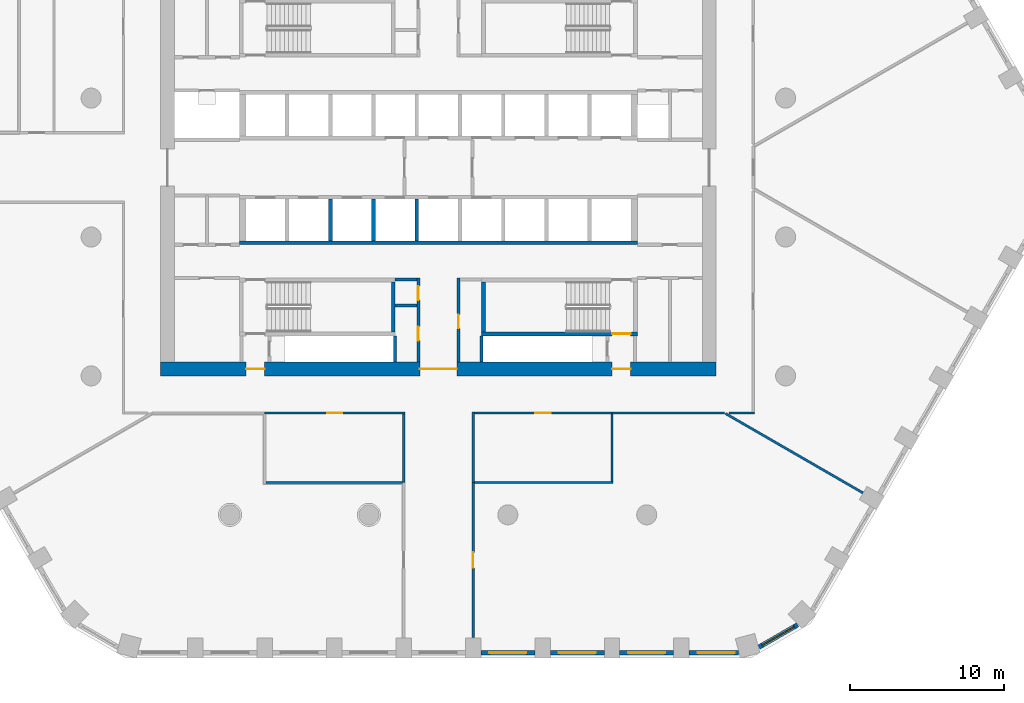
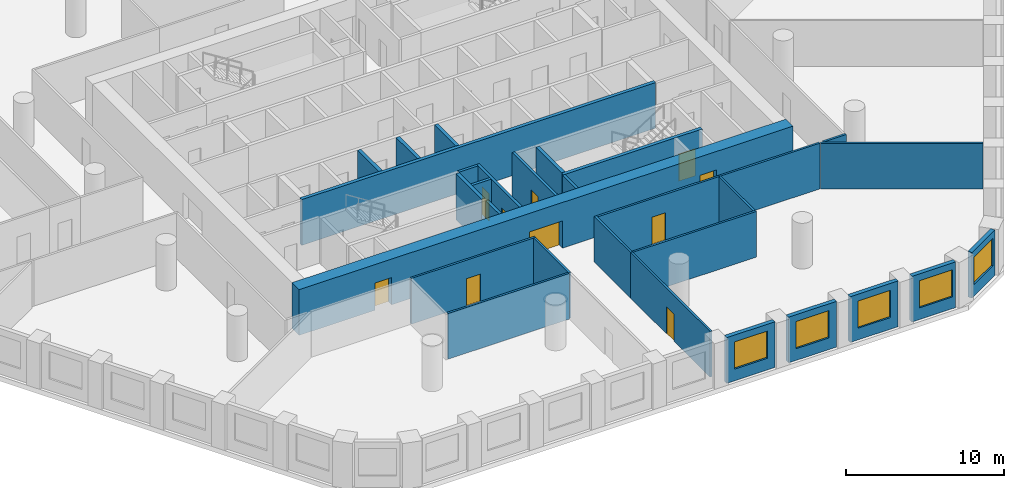
# One storey, part 3 of 14: 30 walls, 10 doors, 5 windows, 15 openings.
"""IFC4 building model written with IfcOpenShell, lengths in metres."""

from ifc_helpers import new_model, si_unit, direction, frame, frame_2d, origin, place, context, subcontext, project, spatial, polyline, rectangle, outline, extrude, material, layer, layer_set, type_object, element, fill, save


model = new_model("IFC4")

# Units and contexts
model_context = context("Model", 3, precision=1e-05, world=origin(), true_north=direction((0.0, 1.0)))
body_context = subcontext(model_context, "Body", "Model", "MODEL_VIEW")
ifc_project = project(units=[si_unit("LENGTHUNIT", "METRE"), si_unit("AREAUNIT", "SQUARE_METRE"), si_unit("VOLUMEUNIT", "CUBIC_METRE"), si_unit("PLANEANGLEUNIT", "RADIAN"), si_unit("MASSUNIT", "GRAM", prefix="KILO")], contexts=[model_context])

# Site, building, storey
site_placement = place(None, origin())
site = spatial("IfcSite", under=ifc_project, at=site_placement, CompositionType="ELEMENT")
building_placement = place(site_placement, origin())
building = spatial("IfcBuilding", under=site, at=building_placement, Name="Dhurran Vertical Campus", CompositionType="ELEMENT")
storey_placement = place(building_placement, frame((0.0, 0.0, 100.800048828125)))
storey = spatial("IfcBuildingStorey", under=building, at=storey_placement, Name="L24", CompositionType="ELEMENT", Elevation=100.800048828125)

# Wall, opening, window
ifc_material_1 = material(Name="Precast concrete C50/60", Category="concrete")
ifc_layer_1 = layer(ifc_material_1, 0.300048828125)
ifc_layer_set_1 = layer_set([ifc_layer_1], Name="Precast concrete C50/60")
wall_type_1 = type_object("IfcWallType", Name="Precast spandrel wall 300", PredefinedType="SOLIDWALL", material=ifc_layer_set_1)
wall_1_placement = place(storey_placement, frame((2.75048828125, -31.4296875, 0.0), z_axis=(0.0, 0.0, 1.0), x_axis=(1.0, 0.0, 0.0)))
wall_1 = element("IfcWall", 1, at=wall_1_placement, inside=storey, type_object=wall_type_1, Name="EW1 L24.05", PredefinedType="SOLIDWALL", context=body_context, shape_type="SweptSolid", body=[
    extrude(rectangle(XDim=3.4990234375, YDim=0.300048828125, at=frame_2d((1.74951171875, 0.0))), origin(), (0.0, 0.0, 1.0), 3.52490234375),
])
opening_1_placement = place(wall_1_placement, frame((0.549560546875, 0.0, 0.89990234375)))
opening_1 = element("IfcOpeningElement", 2, at=opening_1_placement, cuts=wall_1, Name="Opening WT1", PredefinedType="OPENING", context=body_context, shape_type="SweptSolid", body=[
    extrude(rectangle(XDim=2.39990234375, YDim=2.10009765625, at=frame_2d((1.199951171875, 1.050048828125))), frame((0.0, 0.159912109375, 0.0), z_axis=(0.0, -1.0, 0.0), x_axis=(1.0, 0.0, 0.0)), (0.0, 0.0, 1.0), 0.320068359375),
])
ifc_material_2 = material(Name="Aluminium frame with solar-control glass", Category="aluminium")
window_type = type_object("IfcWindowType", Name="Punched window 2400 x 2100", PartitioningType="SINGLE_PANEL", PredefinedType="WINDOW", material=ifc_material_2)
window_1_placement = place(opening_1_placement, origin())
window_1 = element("IfcWindow", 3, at=window_1_placement, inside=storey, type_object=window_type, Name="WT1 L24.05", OverallHeight=2.10009765625, OverallWidth=2.39990234375, PartitioningType="SINGLE_PANEL", PredefinedType="WINDOW", context=body_context, shape_type="SweptSolid", body=[
    extrude(rectangle(XDim=2.39990234375, YDim=2.10009765625, at=frame_2d((1.199951171875, 1.050048828125))), frame((0.0, 0.030029296875, 0.0), z_axis=(0.0, -1.0, 0.0), x_axis=(1.0, 0.0, 0.0)), (0.0, 0.0, 1.0), 0.06005859375),
])
fill(opening_1, window_1)

wall_2_placement = place(storey_placement, frame((7.25048828125, -31.4296875, 0.0), z_axis=(0.0, 0.0, 1.0), x_axis=(1.0, 0.0, 0.0)))
wall_2 = element("IfcWall", 4, at=wall_2_placement, inside=storey, type_object=wall_type_1, Name="EW1 L24.06", PredefinedType="SOLIDWALL", context=body_context, shape_type="SweptSolid", body=[
    extrude(rectangle(XDim=3.4990234375, YDim=0.300048828125, at=frame_2d((1.74951171875, 0.0))), origin(), (0.0, 0.0, 1.0), 3.52490234375),
])
opening_2_placement = place(wall_2_placement, frame((0.549560546875, 0.0, 0.89990234375)))
opening_2 = element("IfcOpeningElement", 5, at=opening_2_placement, cuts=wall_2, Name="Opening WT1", PredefinedType="OPENING", context=body_context, shape_type="SweptSolid", body=[
    extrude(rectangle(XDim=2.39990234375, YDim=2.10009765625, at=frame_2d((1.199951171875, 1.050048828125))), frame((0.0, 0.159912109375, 0.0), z_axis=(0.0, -1.0, 0.0), x_axis=(1.0, 0.0, 0.0)), (0.0, 0.0, 1.0), 0.320068359375),
])
window_2_placement = place(opening_2_placement, origin())
window_2 = element("IfcWindow", 6, at=window_2_placement, inside=storey, type_object=window_type, Name="WT1 L24.06", OverallHeight=2.10009765625, OverallWidth=2.39990234375, PartitioningType="SINGLE_PANEL", PredefinedType="WINDOW", context=body_context, shape_type="SweptSolid", body=[
    extrude(rectangle(XDim=2.39990234375, YDim=2.10009765625, at=frame_2d((1.199951171875, 1.050048828125))), frame((0.0, 0.030029296875, 0.0), z_axis=(0.0, -1.0, 0.0), x_axis=(1.0, 0.0, 0.0)), (0.0, 0.0, 1.0), 0.06005859375),
])
fill(opening_2, window_2)

wall_3_placement = place(storey_placement, frame((11.75048828125, -31.4296875, 0.0), z_axis=(0.0, 0.0, 1.0), x_axis=(1.0, 0.0, 0.0)))
wall_3 = element("IfcWall", 7, at=wall_3_placement, inside=storey, type_object=wall_type_1, Name="EW1 L24.07", PredefinedType="SOLIDWALL", context=body_context, shape_type="SweptSolid", body=[
    extrude(rectangle(XDim=3.4990234375, YDim=0.300048828125, at=frame_2d((1.74951171875, 0.0))), origin(), (0.0, 0.0, 1.0), 3.52490234375),
])
opening_3_placement = place(wall_3_placement, frame((0.549560546875, 0.0, 0.89990234375)))
opening_3 = element("IfcOpeningElement", 8, at=opening_3_placement, cuts=wall_3, Name="Opening WT1", PredefinedType="OPENING", context=body_context, shape_type="SweptSolid", body=[
    extrude(rectangle(XDim=2.39990234375, YDim=2.10009765625, at=frame_2d((1.199951171875, 1.050048828125))), frame((0.0, 0.159912109375, 0.0), z_axis=(0.0, -1.0, 0.0), x_axis=(1.0, 0.0, 0.0)), (0.0, 0.0, 1.0), 0.320068359375),
])
window_3_placement = place(opening_3_placement, origin())
window_3 = element("IfcWindow", 9, at=window_3_placement, inside=storey, type_object=window_type, Name="WT1 L24.07", OverallHeight=2.10009765625, OverallWidth=2.39990234375, PartitioningType="SINGLE_PANEL", PredefinedType="WINDOW", context=body_context, shape_type="SweptSolid", body=[
    extrude(rectangle(XDim=2.39990234375, YDim=2.10009765625, at=frame_2d((1.199951171875, 1.050048828125))), frame((0.0, 0.030029296875, 0.0), z_axis=(0.0, -1.0, 0.0), x_axis=(1.0, 0.0, 0.0)), (0.0, 0.0, 1.0), 0.06005859375),
])
fill(opening_3, window_3)

wall_4_placement = place(storey_placement, frame((16.25048828125, -31.4296875, 0.0), z_axis=(0.0, 0.0, 1.0), x_axis=(1.0, 0.0, 0.0)))
wall_4 = element("IfcWall", 10, at=wall_4_placement, inside=storey, type_object=wall_type_1, Name="EW1 L24.08", PredefinedType="SOLIDWALL", context=body_context, shape_type="SweptSolid", body=[
    extrude(rectangle(XDim=3.1923828125, YDim=0.300048828125, at=frame_2d((1.59619140625, 0.0))), origin(), (0.0, 0.0, 1.0), 3.52490234375),
])
opening_4_placement = place(wall_4_placement, frame((0.549560546875, 0.0, 0.89990234375)))
opening_4 = element("IfcOpeningElement", 11, at=opening_4_placement, cuts=wall_4, Name="Opening WT1", PredefinedType="OPENING", context=body_context, shape_type="SweptSolid", body=[
    extrude(rectangle(XDim=2.39990234375, YDim=2.10009765625, at=frame_2d((1.199951171875, 1.050048828125))), frame((0.0, 0.159912109375, 0.0), z_axis=(0.0, -1.0, 0.0), x_axis=(1.0, 0.0, 0.0)), (0.0, 0.0, 1.0), 0.320068359375),
])
window_4_placement = place(opening_4_placement, origin())
window_4 = element("IfcWindow", 12, at=window_4_placement, inside=storey, type_object=window_type, Name="WT1 L24.08", OverallHeight=2.10009765625, OverallWidth=2.39990234375, PartitioningType="SINGLE_PANEL", PredefinedType="WINDOW", context=body_context, shape_type="SweptSolid", body=[
    extrude(rectangle(XDim=2.39990234375, YDim=2.10009765625, at=frame_2d((1.199951171875, 1.050048828125))), frame((0.0, 0.030029296875, 0.0), z_axis=(0.0, -1.0, 0.0), x_axis=(1.0, 0.0, 0.0)), (0.0, 0.0, 1.0), 0.06005859375),
])
fill(opening_4, window_4)

wall_5_placement = place(storey_placement, frame((20.774169921875, -31.072998046875, 0.0), z_axis=(0.0, 0.0, 1.0), x_axis=(0.866053149362, 0.49995194017, 0.0)))
wall_5 = element("IfcWall", 13, at=wall_5_placement, inside=storey, type_object=wall_type_1, Name="EW1 L24.09", PredefinedType="SOLIDWALL", context=body_context, shape_type="SweptSolid", body=[
    extrude(rectangle(XDim=2.885498046875, YDim=0.300048828125, at=frame_2d((1.44287109375, 0.0))), origin(), (0.0, 0.0, 1.0), 3.52490234375),
])
opening_5_placement = place(wall_5_placement, frame((0.242919921875, 0.0, 0.89990234375)))
opening_5 = element("IfcOpeningElement", 14, at=opening_5_placement, cuts=wall_5, Name="Opening WT1", PredefinedType="OPENING", context=body_context, shape_type="SweptSolid", body=[
    extrude(rectangle(XDim=2.39990234375, YDim=2.10009765625, at=frame_2d((1.199951171875, 1.050048828125))), frame((0.0, 0.159912109375, 0.0), z_axis=(0.0, -1.0, 0.0), x_axis=(1.0, 0.0, 0.0)), (0.0, 0.0, 1.0), 0.320068359375),
])
window_5_placement = place(opening_5_placement, origin())
window_5 = element("IfcWindow", 15, at=window_5_placement, inside=storey, type_object=window_type, Name="WT1 L24.09", OverallHeight=2.10009765625, OverallWidth=2.39990234375, PartitioningType="SINGLE_PANEL", PredefinedType="WINDOW", context=body_context, shape_type="SweptSolid", body=[
    extrude(rectangle(XDim=2.39990234375, YDim=2.10009765625, at=frame_2d((1.199951171875, 1.050048828125))), frame((0.0, 0.030029296875, 0.0), z_axis=(0.0, -1.0, 0.0), x_axis=(1.0, 0.0, 0.0)), (0.0, 0.0, 1.0), 0.06005859375),
])
fill(opening_5, window_5)

# Wall, openings, doors
ifc_material_3 = material(Name="Concrete C60/75", Category="concrete")
ifc_layer_2 = layer(ifc_material_3, 0.89990234375)
ifc_layer_set_2 = layer_set([ifc_layer_2], Name="Concrete C60/75")
wall_type_2 = type_object("IfcWallType", Name="co-CORE-WALL-C0-900", PredefinedType="SHEAR", material=ifc_layer_set_2)
wall_6_placement = place(storey_placement, frame((-18.0, -13.050048828125, 0.0), z_axis=(0.0, 0.0, 1.0), x_axis=(1.0, 0.0, 0.0)))
wall_6 = element("IfcWall", 16, at=wall_6_placement, inside=storey, type_object=wall_type_2, Name="Core wall S L24", PredefinedType="SHEAR", context=body_context, shape_type="SweptSolid", body=[
    extrude(rectangle(XDim=36.0, YDim=0.89990234375, at=frame_2d((18.0, 0.0))), origin(), (0.0, 0.0, 1.0), 3.52490234375),
])
opening_6_placement = place(wall_6_placement, frame((16.800048828125, 0.0, 0.0)))
opening_6 = element("IfcOpeningElement", 17, at=opening_6_placement, cuts=wall_6, Name="Opening CV2", PredefinedType="OPENING", context=body_context, shape_type="SweptSolid", body=[
    extrude(rectangle(XDim=2.39990234375, YDim=2.10009765625, at=frame_2d((1.199951171875, 1.050048828125))), frame((0.0, 0.4599609375, 0.0), z_axis=(0.0, -1.0, 0.0), x_axis=(1.0, 0.0, 0.0)), (0.0, 0.0, 1.0), 0.919921875),
])
opening_7_placement = place(wall_6_placement, frame((5.550048828125, 0.0, 0.0)))
opening_7 = element("IfcOpeningElement", 18, at=opening_7_placement, cuts=wall_6, Name="Opening XD3", PredefinedType="OPENING", context=body_context, shape_type="SweptSolid", body=[
    extrude(rectangle(XDim=1.199951171875, YDim=2.10009765625, at=frame_2d((0.60009765625, 1.050048828125))), frame((0.0, 0.4599609375, 0.0), z_axis=(0.0, -1.0, 0.0), x_axis=(1.0, 0.0, 0.0)), (0.0, 0.0, 1.0), 0.919921875),
])
opening_8_placement = place(wall_6_placement, frame((29.25, 0.0, 0.0)))
opening_8 = element("IfcOpeningElement", 19, at=opening_8_placement, cuts=wall_6, Name="Opening XD4", PredefinedType="OPENING", context=body_context, shape_type="SweptSolid", body=[
    extrude(rectangle(XDim=1.199951171875, YDim=2.10009765625, at=frame_2d((0.60009765625, 1.050048828125))), frame((0.0, 0.4599609375, 0.0), z_axis=(0.0, -1.0, 0.0), x_axis=(1.0, 0.0, 0.0)), (0.0, 0.0, 1.0), 0.919921875),
])
ifc_material_4 = material(Name="Fire-rated glazed door set")
door_type_1 = type_object("IfcDoorType", Name="co-D-LOBBY 2400x2100", OperationType="DOUBLE_DOOR_DOUBLE_SWING", PredefinedType="DOOR", material=ifc_material_4)
door_1_placement = place(opening_6_placement, origin())
door_1 = element("IfcDoor", 20, at=door_1_placement, inside=storey, type_object=door_type_1, Name="Core vestibule door S L24", OperationType="DOUBLE_DOOR_DOUBLE_SWING", OverallHeight=2.10009765625, OverallWidth=2.39990234375, PredefinedType="DOOR", context=body_context, shape_type="SweptSolid", body=[
    extrude(rectangle(XDim=2.39990234375, YDim=2.10009765625, at=frame_2d((1.199951171875, 1.050048828125))), frame((0.0, 0.02490234375, 0.0), z_axis=(0.0, -1.0, 0.0), x_axis=(1.0, 0.0, 0.0)), (0.0, 0.0, 1.0), 0.050048828125),
])
fill(opening_6, door_1)
ifc_material_5 = material(Name="Fire-rated steel door set", Category="steel")
door_type_2 = type_object("IfcDoorType", Name="co-D-STAIR-EXIT 1200x2100", OperationType="SINGLE_SWING_RIGHT", PredefinedType="DOOR", material=ifc_material_5)
door_2_placement = place(opening_7_placement, origin())
door_2 = element("IfcDoor", 21, at=door_2_placement, inside=storey, type_object=door_type_2, Name="Stair ST3 exit door L24", OperationType="SINGLE_SWING_RIGHT", OverallHeight=2.10009765625, OverallWidth=1.199951171875, PredefinedType="DOOR", context=body_context, shape_type="SweptSolid", body=[
    extrude(rectangle(XDim=1.199951171875, YDim=2.10009765625, at=frame_2d((0.60009765625, 1.050048828125))), frame((0.0, 0.02490234375, 0.0), z_axis=(0.0, -1.0, 0.0), x_axis=(1.0, 0.0, 0.0)), (0.0, 0.0, 1.0), 0.050048828125),
])
fill(opening_7, door_2)
door_3_placement = place(opening_8_placement, origin())
door_3 = element("IfcDoor", 22, at=door_3_placement, inside=storey, type_object=door_type_2, Name="Stair ST4 exit door L24", OperationType="SINGLE_SWING_RIGHT", OverallHeight=2.10009765625, OverallWidth=1.199951171875, PredefinedType="DOOR", context=body_context, shape_type="SweptSolid", body=[
    extrude(rectangle(XDim=1.199951171875, YDim=2.10009765625, at=frame_2d((0.60009765625, 1.050048828125))), frame((0.0, 0.02490234375, 0.0), z_axis=(0.0, -1.0, 0.0), x_axis=(1.0, 0.0, 0.0)), (0.0, 0.0, 1.0), 0.050048828125),
])
fill(opening_8, door_3)

# Walls
ifc_material_6 = material(Name="Fire-rated masonry blockwork", Category="masonry")
ifc_layer_3 = layer(ifc_material_6, 0.199951171875)
ifc_layer_set_3 = layer_set([ifc_layer_3], Name="Fire-rated masonry blockwork")
wall_type_3 = type_object("IfcWallType", Name="co-FIRE-PARTITION-200", PredefinedType="PARTITIONING", material=ifc_layer_set_3)
for number, where, z_axis, x_axis, name in (
    (23, (-2.800048828125, -7.25, 0.0), (0.0, 0.0, 1.0), (1.0, 0.0, 0.0), "Core partition sl-SW-S L24"),
    (24, (-2.800048828125, -8.925048828125, 0.0), (0.0, 0.0, 1.0), (1.0, 0.0, 0.0), "Core partition sl-SW-cut0 L24"),
):
    element("IfcWall", number, at=place(storey_placement, frame(where, z_axis=z_axis, x_axis=x_axis)), inside=storey, type_object=wall_type_3, Name=name, PredefinedType="PARTITIONING", context=body_context, shape_type="SweptSolid", body=[
        extrude(rectangle(XDim=1.400146484375, YDim=0.199951171875, at=frame_2d((0.7001953125, 0.0))), origin(), (0.0, 0.0, 1.0), 3.52490234375),
    ])

# Wall, openings, doors
wall_7_placement = place(storey_placement, frame((-1.300048828125, -12.60009765625, 0.0), z_axis=(0.0, 0.0, 1.0), x_axis=(0.0, 1.0, 0.0)))
wall_7 = element("IfcWall", 25, at=wall_7_placement, inside=storey, type_object=wall_type_3, Name="Core partition vest-SW L24", PredefinedType="PARTITIONING", context=body_context, shape_type="SweptSolid", body=[
    extrude(rectangle(XDim=5.4501953125, YDim=0.199951171875, at=frame_2d((2.72509765625, 0.0))), origin(), (0.0, 0.0, 1.0), 3.52490234375),
])
opening_9_placement = place(wall_7_placement, frame((1.387451171875, 0.0, 0.0)))
opening_9 = element("IfcOpeningElement", 26, at=opening_9_placement, cuts=wall_7, Name="Opening T06-C1", PredefinedType="OPENING", context=body_context, shape_type="SweptSolid", body=[
    extrude(rectangle(XDim=0.89990234375, YDim=2.10009765625, at=frame_2d((0.449951171875, 1.050048828125))), frame((0.0, 0.10986328125, 0.0), z_axis=(0.0, -1.0, 0.0), x_axis=(1.0, 0.0, 0.0)), (0.0, 0.0, 1.0), 0.219970703125),
])
opening_10_placement = place(wall_7_placement, frame((4.012451171875, 0.0, 0.0)))
opening_10 = element("IfcOpeningElement", 27, at=opening_10_placement, cuts=wall_7, Name="Opening T06-C2", PredefinedType="OPENING", context=body_context, shape_type="SweptSolid", body=[
    extrude(rectangle(XDim=0.89990234375, YDim=2.10009765625, at=frame_2d((0.449951171875, 1.050048828125))), frame((0.0, 0.10986328125, 0.0), z_axis=(0.0, -1.0, 0.0), x_axis=(1.0, 0.0, 0.0)), (0.0, 0.0, 1.0), 0.219970703125),
])
ifc_material_7 = material(Name="Fire-rated timber door set", Category="wood")
door_type_3 = type_object("IfcDoorType", Name="co-D-ROOM 900x2100", OperationType="SINGLE_SWING_LEFT", PredefinedType="DOOR", material=ifc_material_7)
door_4_placement = place(opening_9_placement, origin())
door_4 = element("IfcDoor", 28, at=door_4_placement, inside=storey, type_object=door_type_3, Name="Print room door L24", OperationType="SINGLE_SWING_LEFT", OverallHeight=2.10009765625, OverallWidth=0.89990234375, PredefinedType="DOOR", context=body_context, shape_type="SweptSolid", body=[
    extrude(rectangle(XDim=0.89990234375, YDim=2.10009765625, at=frame_2d((0.449951171875, 1.050048828125))), frame((0.0, 0.02490234375, 0.0), z_axis=(0.0, -1.0, 0.0), x_axis=(1.0, 0.0, 0.0)), (0.0, 0.0, 1.0), 0.050048828125),
])
fill(opening_9, door_4)
door_5_placement = place(opening_10_placement, origin())
door_5 = element("IfcDoor", 29, at=door_5_placement, inside=storey, type_object=door_type_3, Name="Cleaner's store door L24", OperationType="SINGLE_SWING_LEFT", OverallHeight=2.10009765625, OverallWidth=0.89990234375, PredefinedType="DOOR", context=body_context, shape_type="SweptSolid", body=[
    extrude(rectangle(XDim=0.89990234375, YDim=2.10009765625, at=frame_2d((0.449951171875, 1.050048828125))), frame((0.0, 0.02490234375, 0.0), z_axis=(0.0, -1.0, 0.0), x_axis=(1.0, 0.0, 0.0)), (0.0, 0.0, 1.0), 0.050048828125),
])
fill(opening_10, door_5)

# Wall, opening, door
wall_8_placement = place(storey_placement, frame((1.300048828125, -12.60009765625, 0.0), z_axis=(0.0, 0.0, 1.0), x_axis=(0.0, 1.0, 0.0)))
wall_8 = element("IfcWall", 30, at=wall_8_placement, inside=storey, type_object=wall_type_3, Name="Core partition vest-SE L24", PredefinedType="PARTITIONING", context=body_context, shape_type="SweptSolid", body=[
    extrude(rectangle(XDim=5.4501953125, YDim=0.199951171875, at=frame_2d((2.72509765625, 0.0))), origin(), (0.0, 0.0, 1.0), 3.52490234375),
])
opening_11_placement = place(wall_8_placement, frame((2.175048828125, 0.0, 0.0)))
opening_11 = element("IfcOpeningElement", 31, at=opening_11_placement, cuts=wall_8, Name="Opening T06-C3", PredefinedType="OPENING", context=body_context, shape_type="SweptSolid", body=[
    extrude(rectangle(XDim=0.89990234375, YDim=2.10009765625, at=frame_2d((0.449951171875, 1.050048828125))), frame((0.0, 0.10986328125, 0.0), z_axis=(0.0, -1.0, 0.0), x_axis=(1.0, 0.0, 0.0)), (0.0, 0.0, 1.0), 0.219970703125),
])
door_6_placement = place(opening_11_placement, origin())
door_6 = element("IfcDoor", 32, at=door_6_placement, inside=storey, type_object=door_type_3, Name="Fire equipment store door L24", OperationType="SINGLE_SWING_LEFT", OverallHeight=2.10009765625, OverallWidth=0.89990234375, PredefinedType="DOOR", context=body_context, shape_type="SweptSolid", body=[
    extrude(rectangle(XDim=0.89990234375, YDim=2.10009765625, at=frame_2d((0.449951171875, 1.050048828125))), frame((0.0, 0.02490234375, 0.0), z_axis=(0.0, -1.0, 0.0), x_axis=(1.0, 0.0, 0.0)), (0.0, 0.0, 1.0), 0.050048828125),
])
fill(opening_11, door_6)

# Walls
for number, where, z_axis, x_axis, name in (
    (33, (-2.800048828125, -12.59912109375, 0.0), (0.0, 0.0, 1.0), (0.0, 1.0, 0.0), "Riser enclosure wall L24"),
    (34, (2.800048828125, -10.90087890625, 0.0), (0.0, 0.0, 1.0), (0.0, -1.0, 0.0), "Riser enclosure wall L24"),
):
    element("IfcWall", number, at=place(storey_placement, frame(where, z_axis=z_axis, x_axis=x_axis)), inside=storey, type_object=wall_type_3, Name=name, PredefinedType="PARTITIONING", context=body_context, shape_type="SweptSolid", body=[
        extrude(rectangle(XDim=1.6982421875, YDim=0.199951171875, at=frame_2d((0.84912109375, 0.0))), origin(), (0.0, 0.0, 1.0), 3.52490234375),
    ])
ifc_material_8 = material(Name="Concrete C50/60", Category="concrete")
ifc_layer_4 = layer(ifc_material_8, 0.25)
ifc_layer_set_4 = layer_set([ifc_layer_4], Name="Concrete C50/60")
wall_type_4 = type_object("IfcWallType", Name="co-SHAFT-MASS-250", PredefinedType="SHEAR", material=ifc_layer_set_4)
wall_9_placement = place(storey_placement, origin())
element("IfcWall", 35, at=wall_9_placement, inside=storey, type_object=wall_type_4, Name="Lift shaft wall S L24 1", PredefinedType="SHEAR", context=body_context, shape_type="SweptSolid", body=[
    extrude(outline(polyline([(-12.89990234375, -5.0), (12.89990234375, -5.0), (12.89990234375, -4.75), (-12.89990234375, -4.75), (-12.89990234375, -5.0)])), origin(), (0.0, 0.0, 1.0), 3.52490234375),
])
wall_10_placement = place(storey_placement, origin())
element("IfcWall", 36, at=wall_10_placement, inside=storey, type_object=wall_type_4, Name="Lift shaft wall S L24 4", PredefinedType="SHEAR", context=body_context, shape_type="SweptSolid", body=[
    extrude(outline(polyline([(-7.125, -4.75), (-6.875, -4.75), (-6.875, -2.050048828125), (-7.125, -2.050048828125), (-7.125, -4.75)])), origin(), (0.0, 0.0, 1.0), 3.52490234375),
])
wall_11_placement = place(storey_placement, origin())
element("IfcWall", 37, at=wall_11_placement, inside=storey, type_object=wall_type_4, Name="Lift shaft wall S L24 5", PredefinedType="SHEAR", context=body_context, shape_type="SweptSolid", body=[
    extrude(outline(polyline([(-4.324951171875, -4.75), (-4.074951171875, -4.75), (-4.074951171875, -2.050048828125), (-4.324951171875, -2.050048828125), (-4.324951171875, -4.75)])), origin(), (0.0, 0.0, 1.0), 3.52490234375),
])
wall_12_placement = place(storey_placement, origin())
element("IfcWall", 38, at=wall_12_placement, inside=storey, type_object=wall_type_4, Name="Lift shaft wall S L24 6", PredefinedType="SHEAR", context=body_context, shape_type="SweptSolid", body=[
    extrude(outline(polyline([(-1.52490234375, -4.75), (-1.27490234375, -4.75), (-1.27490234375, -2.050048828125), (-1.52490234375, -2.050048828125), (-1.52490234375, -4.75)])), origin(), (0.0, 0.0, 1.0), 3.52490234375),
])
ifc_material_9 = material(Name="Concrete C40/50", Category="concrete")
ifc_layer_5 = layer(ifc_material_9, 0.25)
ifc_layer_set_5 = layer_set([ifc_layer_5], Name="Concrete C40/50")
wall_type_5 = type_object("IfcWallType", Name="co-STAIR-WALL-250", PredefinedType="SHEAR", material=ifc_layer_set_5)
wall_13_placement = place(storey_placement, frame((-2.925048828125, -10.64990234375, 0.0), z_axis=(0.0, 0.0, 1.0), x_axis=(0.0, 1.0, 0.0)))
element("IfcWall", 39, at=wall_13_placement, inside=storey, type_object=wall_type_5, Name="Stair ST3 enclosure wall L24", PredefinedType="SHEAR", context=body_context, shape_type="SweptSolid", body=[
    extrude(rectangle(XDim=3.25, YDim=0.25, at=frame_2d((1.625, 0.0))), origin(), (0.0, 0.0, 1.0), 3.52490234375),
])

# Wall, opening, door
wall_14_placement = place(storey_placement, frame((2.800048828125, -10.77490234375, 0.0), z_axis=(0.0, 0.0, 1.0), x_axis=(1.0, 0.0, 0.0)))
wall_14 = element("IfcWall", 40, at=wall_14_placement, inside=storey, type_object=wall_type_5, Name="Stair ST4 enclosure wall L24", PredefinedType="SHEAR", context=body_context, shape_type="SweptSolid", body=[
    extrude(rectangle(XDim=10.099853515625, YDim=0.25, at=frame_2d((5.0498046875, 0.0))), origin(), (0.0, 0.0, 1.0), 3.52490234375),
])
opening_12_placement = place(wall_14_placement, frame((8.449951171875, 0.0, 0.0)))
opening_12 = element("IfcOpeningElement", 41, at=opening_12_placement, cuts=wall_14, Name="Opening XS4", PredefinedType="OPENING", context=body_context, shape_type="SweptSolid", body=[
    extrude(rectangle(XDim=1.199951171875, YDim=2.10009765625, at=frame_2d((0.60009765625, 1.050048828125))), frame((0.0, 0.135009765625, 0.0), z_axis=(0.0, -1.0, 0.0), x_axis=(1.0, 0.0, 0.0)), (0.0, 0.0, 1.0), 0.27001953125),
])
door_7_placement = place(opening_12_placement, origin())
door_7 = element("IfcDoor", 42, at=door_7_placement, inside=storey, type_object=door_type_2, Name="Stair ST4 discharge door L24", OperationType="SINGLE_SWING_RIGHT", OverallHeight=2.10009765625, OverallWidth=1.199951171875, PredefinedType="DOOR", context=body_context, shape_type="SweptSolid", body=[
    extrude(rectangle(XDim=1.199951171875, YDim=2.10009765625, at=frame_2d((0.60009765625, 1.050048828125))), frame((0.0, 0.02490234375, 0.0), z_axis=(0.0, -1.0, 0.0), x_axis=(1.0, 0.0, 0.0)), (0.0, 0.0, 1.0), 0.050048828125),
])
fill(opening_12, door_7)

# Wall
wall_15_placement = place(storey_placement, frame((2.925048828125, -10.64990234375, 0.0), z_axis=(0.0, 0.0, 1.0), x_axis=(0.0, 1.0, 0.0)))
element("IfcWall", 43, at=wall_15_placement, inside=storey, type_object=wall_type_5, Name="Stair ST4 enclosure wall L24", PredefinedType="SHEAR", context=body_context, shape_type="SweptSolid", body=[
    extrude(rectangle(XDim=3.25, YDim=0.25, at=frame_2d((1.625, 0.0))), origin(), (0.0, 0.0, 1.0), 3.52490234375),
])

# Wall, opening, door
ifc_material_10 = material(Name="Gypsum board corridor wall on steel studs", Category="steel")
ifc_layer_6 = layer(ifc_material_10, 0.14990234375)
ifc_layer_set_6 = layer_set([ifc_layer_6], Name="Gypsum board corridor wall on steel studs")
wall_type_6 = type_object("IfcWallType", Name="fl-CW-150 corridor wall", PredefinedType="PARTITIONING", material=ifc_layer_set_6)
wall_16_placement = place(storey_placement, frame((-11.25, -15.89990234375, 0.0), z_axis=(0.0, 0.0, 1.0), x_axis=(1.0, 0.0, 0.0)))
wall_16 = element("IfcWall", 44, at=wall_16_placement, inside=storey, type_object=wall_type_6, Name="Partition 24-20", PredefinedType="PARTITIONING", context=body_context, shape_type="SweptSolid", body=[
    extrude(rectangle(XDim=9.074951171875, YDim=0.14990234375, at=frame_2d((4.53759765625, 0.0))), origin(), (0.0, 0.0, 1.0), 3.52490234375),
])
opening_13_placement = place(wall_16_placement, frame((4.03759765625, 0.0, 0.0)))
opening_13 = element("IfcOpeningElement", 45, at=opening_13_placement, cuts=wall_16, Name="Opening T06.08", PredefinedType="OPENING", context=body_context, shape_type="SweptSolid", body=[
    extrude(rectangle(XDim=1.0, YDim=2.10009765625, at=frame_2d((0.5, 1.050048828125))), frame((0.0, 0.0849609375, 0.0), z_axis=(0.0, -1.0, 0.0), x_axis=(1.0, 0.0, 0.0)), (0.0, 0.0, 1.0), 0.169921875),
])
ifc_material_11 = material(Name="Solid-core timber door set, fire-rated", Category="wood")
door_type_4 = type_object("IfcDoorType", Name="fl-D-1000x2100", OperationType="SINGLE_SWING_LEFT", PredefinedType="DOOR", material=ifc_material_11)
door_8_placement = place(opening_13_placement, origin())
door_8 = element("IfcDoor", 46, at=door_8_placement, inside=storey, type_object=door_type_4, Name="Door 24.08", OperationType="SINGLE_SWING_RIGHT", OverallHeight=2.10009765625, OverallWidth=1.0, PredefinedType="DOOR", context=body_context, shape_type="SweptSolid", body=[
    extrude(rectangle(XDim=1.0, YDim=2.10009765625, at=frame_2d((0.5, 1.050048828125))), frame((0.0, 0.02490234375, 0.0), z_axis=(0.0, -1.0, 0.0), x_axis=(1.0, 0.0, 0.0)), (0.0, 0.0, 1.0), 0.050048828125),
])
fill(opening_13, door_8)

# Wall
wall_17_placement = place(storey_placement, frame((-2.25, -20.39990234375, 0.0), z_axis=(0.0, 0.0, 1.0), x_axis=(0.0, 1.0, 0.0)))
element("IfcWall", 47, at=wall_17_placement, inside=storey, type_object=wall_type_6, Name="Partition 24-25", PredefinedType="PARTITIONING", context=body_context, shape_type="SweptSolid", body=[
    extrude(rectangle(XDim=4.4248046875, YDim=0.14990234375, at=frame_2d((2.21240234375, 0.0))), origin(), (0.0, 0.0, 1.0), 3.52490234375),
])

# Wall, opening, door
wall_18_placement = place(storey_placement, frame((2.25, -20.39990234375, 0.0), z_axis=(0.0, 0.0, 1.0), x_axis=(0.0, -1.0, 0.0)))
wall_18 = element("IfcWall", 48, at=wall_18_placement, inside=storey, type_object=wall_type_6, Name="Partition 24-28", PredefinedType="PARTITIONING", context=body_context, shape_type="SweptSolid", body=[
    extrude(rectangle(XDim=10.059814453125, YDim=0.14990234375, at=frame_2d((5.02978515625, 0.0))), origin(), (0.0, 0.0, 1.0), 3.52490234375),
])
opening_14_placement = place(wall_18_placement, frame((4.52978515625, 0.0, 0.0)))
opening_14 = element("IfcOpeningElement", 49, at=opening_14_placement, cuts=wall_18, Name="Opening T06.13", PredefinedType="OPENING", context=body_context, shape_type="SweptSolid", body=[
    extrude(rectangle(XDim=1.0, YDim=2.10009765625, at=frame_2d((0.5, 1.050048828125))), frame((0.0, 0.0849609375, 0.0), z_axis=(0.0, -1.0, 0.0), x_axis=(1.0, 0.0, 0.0)), (0.0, 0.0, 1.0), 0.169921875),
])
door_9_placement = place(opening_14_placement, origin())
door_9 = element("IfcDoor", 50, at=door_9_placement, inside=storey, type_object=door_type_4, Name="Door 24.13", OperationType="SINGLE_SWING_RIGHT", OverallHeight=2.10009765625, OverallWidth=1.0, PredefinedType="DOOR", context=body_context, shape_type="SweptSolid", body=[
    extrude(rectangle(XDim=1.0, YDim=2.10009765625, at=frame_2d((0.5, 1.050048828125))), frame((0.0, 0.02490234375, 0.0), z_axis=(0.0, -1.0, 0.0), x_axis=(1.0, 0.0, 0.0)), (0.0, 0.0, 1.0), 0.050048828125),
])
fill(opening_14, door_9)

# Wall
wall_19_placement = place(storey_placement, frame((2.25, -15.824951171875, 0.0), z_axis=(0.0, 0.0, 1.0), x_axis=(0.0, -1.0, 0.0)))
element("IfcWall", 51, at=wall_19_placement, inside=storey, type_object=wall_type_6, Name="Partition 24-29", PredefinedType="PARTITIONING", context=body_context, shape_type="SweptSolid", body=[
    extrude(rectangle(XDim=4.574951171875, YDim=0.14990234375, at=frame_2d((2.28759765625, 0.0))), origin(), (0.0, 0.0, 1.0), 3.52490234375),
])

# Wall, opening, door
wall_20_placement = place(storey_placement, frame((2.324951171875, -15.89990234375, 0.0), z_axis=(0.0, 0.0, 1.0), x_axis=(1.0, 0.0, 0.0)))
wall_20 = element("IfcWall", 52, at=wall_20_placement, inside=storey, type_object=wall_type_6, Name="Partition 24-31", PredefinedType="PARTITIONING", context=body_context, shape_type="SweptSolid", body=[
    extrude(rectangle(XDim=8.925048828125, YDim=0.14990234375, at=frame_2d((4.46240234375, 0.0))), origin(), (0.0, 0.0, 1.0), 3.52490234375),
])
opening_15_placement = place(wall_20_placement, frame((3.96240234375, 0.0, 0.0)))
opening_15 = element("IfcOpeningElement", 53, at=opening_15_placement, cuts=wall_20, Name="Opening T06.11", PredefinedType="OPENING", context=body_context, shape_type="SweptSolid", body=[
    extrude(rectangle(XDim=1.0, YDim=2.10009765625, at=frame_2d((0.5, 1.050048828125))), frame((0.0, 0.0849609375, 0.0), z_axis=(0.0, -1.0, 0.0), x_axis=(1.0, 0.0, 0.0)), (0.0, 0.0, 1.0), 0.169921875),
])
door_10_placement = place(opening_15_placement, origin())
door_10 = element("IfcDoor", 54, at=door_10_placement, inside=storey, type_object=door_type_4, Name="Door 24.11", OperationType="SINGLE_SWING_RIGHT", OverallHeight=2.10009765625, OverallWidth=1.0, PredefinedType="DOOR", context=body_context, shape_type="SweptSolid", body=[
    extrude(rectangle(XDim=1.0, YDim=2.10009765625, at=frame_2d((0.5, 1.050048828125))), frame((0.0, 0.02490234375, 0.0), z_axis=(0.0, -1.0, 0.0), x_axis=(1.0, 0.0, 0.0)), (0.0, 0.0, 1.0), 0.050048828125),
])
fill(opening_15, door_10)

# Walls
wall_21_placement = place(storey_placement, frame((11.25, -15.89990234375, 0.0), z_axis=(0.0, 0.0, 1.0), x_axis=(1.0, 0.0, 0.0)))
element("IfcWall", 55, at=wall_21_placement, inside=storey, type_object=wall_type_6, Name="Partition 24-41", PredefinedType="PARTITIONING", context=body_context, shape_type="SweptSolid", body=[
    extrude(rectangle(XDim=7.2900390625, YDim=0.14990234375, at=frame_2d((3.64501953125, 0.0))), origin(), (0.0, 0.0, 1.0), 3.52490234375),
])
wall_22_placement = place(storey_placement, frame((18.81494140625, -15.89990234375, 0.0), z_axis=(0.0, 0.0, 1.0), x_axis=(1.0, 0.0, 0.0)))
element("IfcWall", 56, at=wall_22_placement, inside=storey, type_object=wall_type_6, Name="Partition 24-42", PredefinedType="PARTITIONING", context=body_context, shape_type="SweptSolid", body=[
    extrude(rectangle(XDim=1.66015625, YDim=0.14990234375, at=frame_2d((0.830078125, 0.0))), origin(), (0.0, 0.0, 1.0), 3.52490234375),
])
ifc_material_12 = material(Name="Gypsum board partition on steel studs", Category="steel")
ifc_layer_7 = layer(ifc_material_12, 0.14990234375)
ifc_layer_set_7 = layer_set([ifc_layer_7], Name="Gypsum board partition on steel studs")
wall_type_7 = type_object("IfcWallType", Name="fl-PW-150 fixed partition", PredefinedType="PARTITIONING", material=ifc_layer_set_7)
wall_23_placement = place(storey_placement, frame((-11.175048828125, -20.39990234375, 0.0), z_axis=(0.0, 0.0, 1.0), x_axis=(1.0, 0.0, 0.0)))
element("IfcWall", 57, at=wall_23_placement, inside=storey, type_object=wall_type_7, Name="Partition 24-19", PredefinedType="PARTITIONING", context=body_context, shape_type="SweptSolid", body=[
    extrude(rectangle(XDim=8.85009765625, YDim=0.14990234375, at=frame_2d((4.425048828125, 0.0))), origin(), (0.0, 0.0, 1.0), 3.52490234375),
])
wall_24_placement = place(storey_placement, frame((11.324951171875, -20.39990234375, 0.0), z_axis=(0.0, 0.0, 1.0), x_axis=(-1.0, 0.0, 0.0)))
element("IfcWall", 58, at=wall_24_placement, inside=storey, type_object=wall_type_7, Name="Partition 24-30", PredefinedType="PARTITIONING", context=body_context, shape_type="SweptSolid", body=[
    extrude(rectangle(XDim=9.0, YDim=0.14990234375, at=frame_2d((4.5, 0.0))), origin(), (0.0, 0.0, 1.0), 3.52490234375),
])
wall_25_placement = place(storey_placement, frame((11.25, -15.97509765625, 0.0), z_axis=(0.0, 0.0, 1.0), x_axis=(0.0, -1.0, 0.0)))
element("IfcWall", 59, at=wall_25_placement, inside=storey, type_object=wall_type_7, Name="Partition 24-40", PredefinedType="PARTITIONING", context=body_context, shape_type="SweptSolid", body=[
    extrude(rectangle(XDim=4.349853515625, YDim=0.14990234375, at=frame_2d((2.1748046875, 0.0))), origin(), (0.0, 0.0, 1.0), 3.52490234375),
])
wall_26_placement = place(storey_placement, frame((18.60498046875, -15.9375, 0.0), z_axis=(0.0, 0.0, 1.0), x_axis=(0.8659928916, -0.500056308527, 0.0)))
element("IfcWall", 60, at=wall_26_placement, inside=storey, type_object=wall_type_7, Name="Partition 24-43", PredefinedType="PARTITIONING", context=body_context, shape_type="SweptSolid", body=[
    extrude(rectangle(XDim=10.275634765625, YDim=0.14990234375, at=frame_2d((5.1376953125, 0.0))), origin(), (0.0, 0.0, 1.0), 3.52490234375),
])

save(model, "model.ifc")
